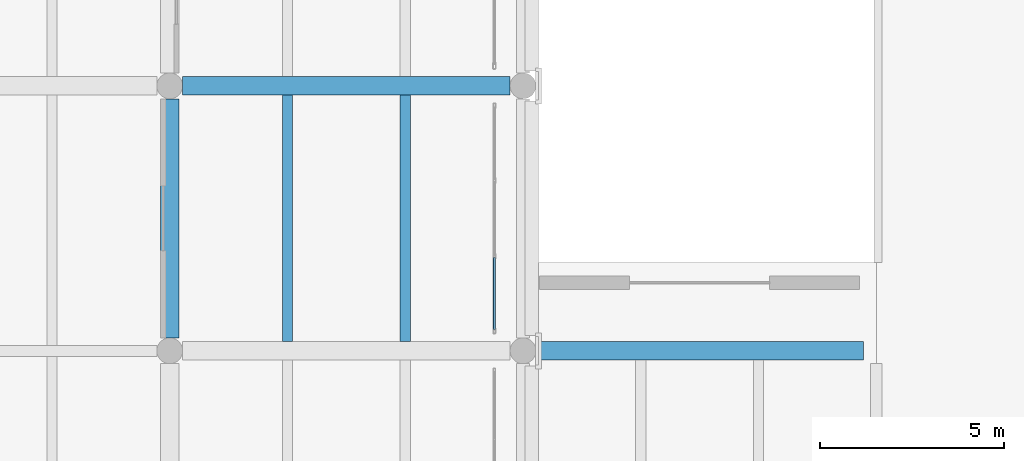
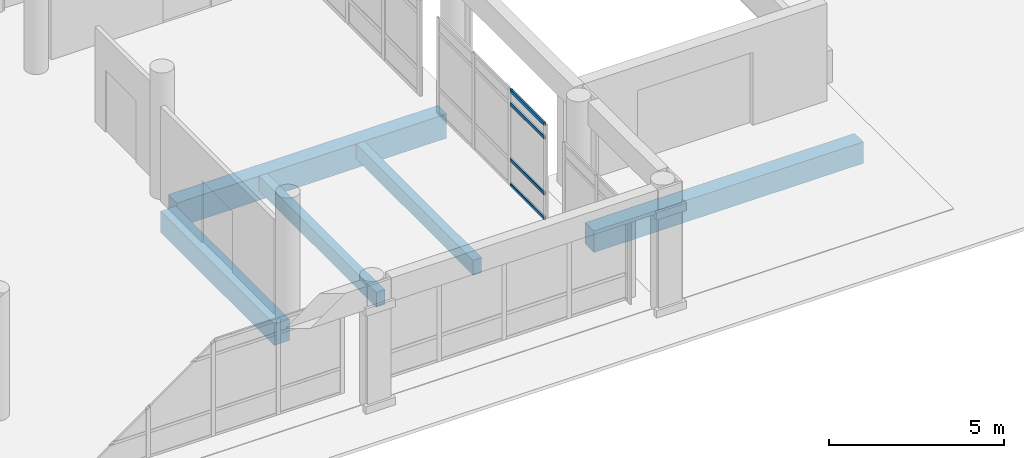
# One storey, part 38 of 196: 5 beams, 4 members, 1 element without a shape of its own.
"""IFC4 building model written with IfcOpenShell, lengths in metres."""

from ifc_helpers import new_model, si_unit, direction, frame, origin, origin_2d, place, context, subcontext, project, spatial, rectangle, hollow_rectangle, extrude, material, layer, layer_set, material_profile, profile_set, type_object, element, aggregate, save


model = new_model("IFC4")

# Units and contexts
model_context = context("Model", 3, precision=1e-05, world=origin(), true_north=direction((0.0, 1.0)))
body_context = subcontext(model_context, "Body", "Model", "MODEL_VIEW")
ifc_project = project(units=[si_unit("LENGTHUNIT", "METRE"), si_unit("AREAUNIT", "SQUARE_METRE"), si_unit("VOLUMEUNIT", "CUBIC_METRE"), si_unit("PLANEANGLEUNIT", "RADIAN"), si_unit("MASSUNIT", "GRAM", prefix="KILO")], contexts=[model_context])

# Site, building, storey
site_placement = place(None, origin())
site = spatial("IfcSite", under=ifc_project, at=site_placement, CompositionType="ELEMENT")
building_placement = place(site_placement, origin())
building = spatial("IfcBuilding", under=site, at=building_placement, Name="Asteropetra Specialist Clinic", CompositionType="ELEMENT")
storey_placement = place(building_placement, origin())
storey = spatial("IfcBuildingStorey", under=building, at=storey_placement, Name="L00", CompositionType="ELEMENT", Elevation=0.0)

# Beams
ifc_material_1 = material(Name="Concrete C35/45", Category="concrete")
ifc_material_profile_1 = material_profile(ifc_material_1, rectangle(XDim=0.5, YDim=0.75, at=origin_2d()), Name="RCB 500x750")
ifc_profile_set_1 = profile_set([ifc_material_profile_1], Name="Concrete C35/45")
beam_type_1 = type_object("IfcBeamType", Name="BM-RC500x750", PredefinedType="BEAM", material=ifc_profile_set_1)
beam_1_placement = place(storey_placement, frame((48.0, 5.14990234375, -0.715087890625), z_axis=(0.0, 1.0, 0.0), x_axis=(-1.0, 0.0, 0.0)))
element("IfcBeam", 1, at=beam_1_placement, inside=storey, type_object=beam_type_1, Name="Beam BBM04-0055", PredefinedType="BEAM", context=body_context, shape_type="SweptSolid", body=[
    extrude(rectangle(XDim=0.5, YDim=0.75, at=origin_2d()), origin(), (0.0, 0.0, 1.0), 6.5),
])
beam_2_placement = place(storey_placement, frame((57.949951171875, 4.800048828125, -0.68505859375), z_axis=(1.0, 0.0, 0.0), x_axis=(0.0, 1.0, 0.0)))
element("IfcBeam", 2, at=beam_2_placement, inside=storey, type_object=beam_type_1, Name="Beam BBM04-0104", PredefinedType="BEAM", context=body_context, shape_type="SweptSolid", body=[
    extrude(rectangle(XDim=0.5, YDim=0.75, at=origin_2d()), origin(), (0.0, 0.0, 1.0), 8.900146484375),
])
ifc_material_2 = material(Name="Concrete C35/45", Category="concrete")
ifc_material_profile_2 = material_profile(ifc_material_2, rectangle(XDim=0.5, YDim=0.85009765625, at=origin_2d()), Name="RCB 500x850")
ifc_profile_set_2 = profile_set([ifc_material_profile_2], Name="Concrete C35/45")
beam_type_2 = type_object("IfcBeamType", Name="BM-RC500x850", PredefinedType="BEAM", material=ifc_profile_set_2)
beam_3_placement = place(storey_placement, frame((48.35009765625, 12.0, -0.764892578125), z_axis=(1.0, 0.0, 0.0), x_axis=(0.0, 1.0, 0.0)))
element("IfcBeam", 3, at=beam_3_placement, inside=storey, type_object=beam_type_2, Name="Beam BBM03-0018", PredefinedType="BEAM", context=body_context, shape_type="SweptSolid", body=[
    extrude(rectangle(XDim=0.5, YDim=0.85009765625, at=origin_2d()), origin(), (0.0, 0.0, 1.0), 8.89990234375),
])

# Curtain wall, members
ifc_material_3 = material(Name="Aluminium and low-E glass", Category="aluminium")
ifc_layer = layer(ifc_material_3, 0.179931640625)
ifc_layer_set = layer_set([ifc_layer], Name="Aluminium and low-E glass")
curtain_wall_type = type_object("IfcCurtainWallType", Name="CW-SYS-10", PredefinedType="USERDEFINED", material=ifc_layer_set)
curtain_wall_placement = place(storey_placement, origin())
curtain_wall = element("IfcCurtainWall", 4, at=curtain_wall_placement, inside=storey, type_object=curtain_wall_type, Name="Curtain Wall CW-130", ObjectType="STICK GLAZED COLONNADE", PredefinedType="USERDEFINED")
ifc_material_4 = material(Name="Aluminium 6063-T6", Category="aluminium")
ifc_material_profile_3 = material_profile(ifc_material_4, hollow_rectangle(XDim=0.06494140625, YDim=0.1201171875, WallThickness=0.00390625, InnerFilletRadius=0.00390625, OuterFilletRadius=0.008056640625, at=origin_2d()), Name="TRN 120x65x4.0")
ifc_profile_set_3 = profile_set([ifc_material_profile_3], Name="Aluminium 6063-T6")
member_type = type_object("IfcMemberType", Name="CWT-120x65", PredefinedType="USERDEFINED", material=ifc_profile_set_3)
member_1_placement = place(storey_placement, frame((56.820068359375, 5.375, 0.032470703125), z_axis=(0.0, 1.0, 0.0), x_axis=(-1.0, 0.0, 0.0)))
member_1 = element("IfcMember", 5, at=member_1_placement, type_object=member_type, Name="CW-130 transom 1.1", ObjectType="TRANSOM", PredefinedType="USERDEFINED", context=body_context, shape_type="SweptSolid", body=[
    extrude(hollow_rectangle(XDim=0.06494140625, YDim=0.1201171875, WallThickness=0.00390625, InnerFilletRadius=0.00390625, OuterFilletRadius=0.008056640625, at=origin_2d()), origin(), (0.0, 0.0, 1.0), 1.96240234375),
])
member_2_placement = place(storey_placement, frame((56.820068359375, 5.375, 0.89990234375), z_axis=(0.0, 1.0, 0.0), x_axis=(-1.0, 0.0, 0.0)))
member_2 = element("IfcMember", 6, at=member_2_placement, type_object=member_type, Name="CW-130 transom 1.2", ObjectType="TRANSOM", PredefinedType="USERDEFINED", context=body_context, shape_type="SweptSolid", body=[
    extrude(hollow_rectangle(XDim=0.06494140625, YDim=0.1201171875, WallThickness=0.00390625, InnerFilletRadius=0.00390625, OuterFilletRadius=0.008056640625, at=origin_2d()), origin(), (0.0, 0.0, 1.0), 1.96240234375),
])
member_3_placement = place(storey_placement, frame((56.820068359375, 5.375, 2.85009765625), z_axis=(0.0, 1.0, 0.0), x_axis=(-1.0, 0.0, 0.0)))
member_3 = element("IfcMember", 7, at=member_3_placement, type_object=member_type, Name="CW-130 transom 1.3", ObjectType="TRANSOM", PredefinedType="USERDEFINED", context=body_context, shape_type="SweptSolid", body=[
    extrude(hollow_rectangle(XDim=0.06494140625, YDim=0.1201171875, WallThickness=0.00390625, InnerFilletRadius=0.00390625, OuterFilletRadius=0.008056640625, at=origin_2d()), origin(), (0.0, 0.0, 1.0), 1.96240234375),
])
member_4_placement = place(storey_placement, frame((56.820068359375, 5.375, 3.3173828125), z_axis=(0.0, 1.0, 0.0), x_axis=(-1.0, 0.0, 0.0)))
member_4 = element("IfcMember", 8, at=member_4_placement, type_object=member_type, Name="CW-130 transom 1.4", ObjectType="TRANSOM", PredefinedType="USERDEFINED", context=body_context, shape_type="SweptSolid", body=[
    extrude(hollow_rectangle(XDim=0.06494140625, YDim=0.1201171875, WallThickness=0.00390625, InnerFilletRadius=0.00390625, OuterFilletRadius=0.008056640625, at=origin_2d()), origin(), (0.0, 0.0, 1.0), 1.96240234375),
])
aggregate(curtain_wall, [member_1, member_2, member_3, member_4])

# Beams
ifc_material_5 = material(Name="Concrete C35/45", Category="concrete")
ifc_material_profile_4 = material_profile(ifc_material_5, rectangle(XDim=0.280029296875, YDim=0.52001953125, at=origin_2d()), Name="RCJ 280x520")
ifc_profile_set_4 = profile_set([ifc_material_profile_4], Name="Concrete C35/45")
beam_type_3 = type_object("IfcBeamType", Name="JST-RC280x520", PredefinedType="JOIST", material=ifc_profile_set_4)
for number, where, z_axis, x_axis, name in (
    (9, (51.199951171875, 5.050048828125, -0.60009765625), (0.0, 1.0, 0.0), (-1.0, 0.0, 0.0), "Joist JJST01-0067"),
    (10, (54.39990234375, 5.050048828125, -0.60009765625), (0.0, 1.0, 0.0), (-1.0, 0.0, 0.0), "Joist JJST01-0068"),
):
    element("IfcBeam", number, at=place(storey_placement, frame(where, z_axis=z_axis, x_axis=x_axis)), inside=storey, type_object=beam_type_3, Name=name, PredefinedType="JOIST", context=body_context, shape_type="SweptSolid", body=[
        extrude(rectangle(XDim=0.280029296875, YDim=0.52001953125, at=origin_2d()), origin(), (0.0, 0.0, 1.0), 6.699951171875),
    ])

save(model, "model.ifc")
